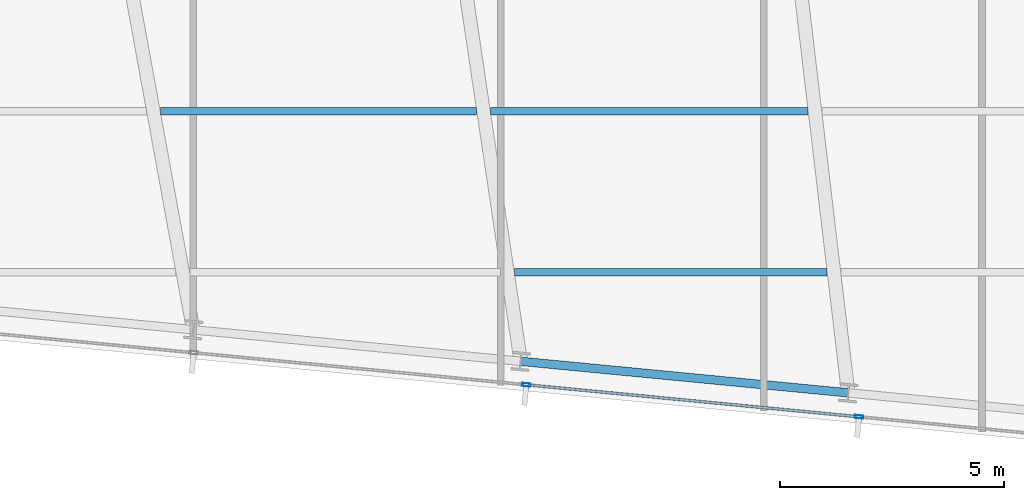
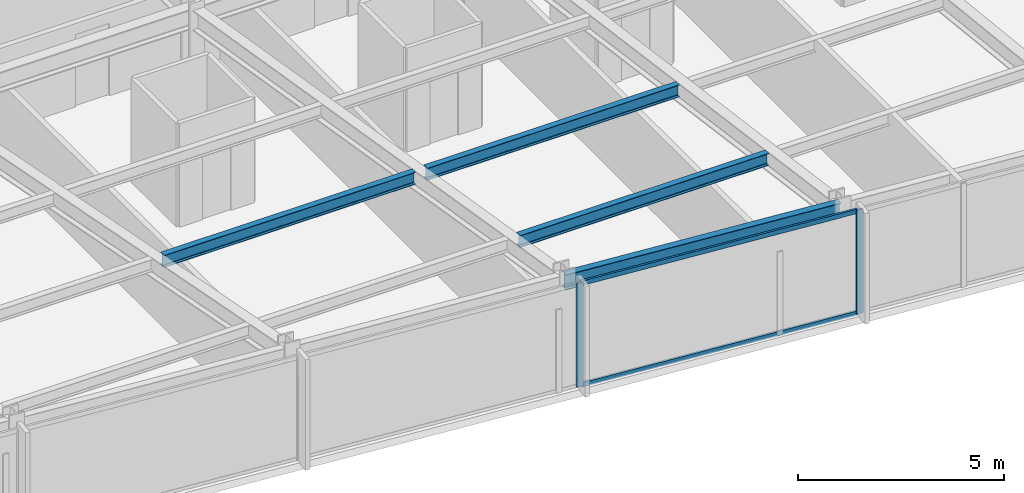
# One storey, part 12 of 37: 4 beams, 4 members, 1 element without a shape of its own.
"""IFC4 building model written with IfcOpenShell, lengths in metres."""

from ifc_helpers import new_model, si_unit, direction, frame, origin, origin_2d, place, context, subcontext, project, spatial, hollow_rectangle, i_section, extrude, material, material_profile, profile_set, type_object, element, aggregate, save


model = new_model("IFC4")

# Units and contexts
model_context = context("Model", 3, precision=1e-05, world=origin(), true_north=direction((0.0, 1.0)))
body_context = subcontext(model_context, "Body", "Model", "MODEL_VIEW")
ifc_project = project(units=[si_unit("LENGTHUNIT", "METRE"), si_unit("AREAUNIT", "SQUARE_METRE"), si_unit("VOLUMEUNIT", "CUBIC_METRE"), si_unit("PLANEANGLEUNIT", "RADIAN"), si_unit("MASSUNIT", "GRAM", prefix="KILO")], contexts=[model_context])

# Site, building, storey
site_placement = place(None, origin())
site = spatial("IfcSite", under=ifc_project, at=site_placement, CompositionType="ELEMENT")
building_placement = place(site_placement, origin())
building = spatial("IfcBuilding", under=site, at=building_placement, Name="Yelkora Congress Tower", CompositionType="ELEMENT")
storey_placement = place(building_placement, frame((0.0, 0.0, 175.39990234375)))
storey = spatial("IfcBuildingStorey", under=building, at=storey_placement, Name="L48", CompositionType="ELEMENT", Elevation=175.39990234375)

# Beams
ifc_material_1 = material(Name="Steel S355J2", Category="steel")
ifc_material_profile_1 = material_profile(ifc_material_1, i_section(OverallWidth=0.169921875, OverallDepth=0.360107421875, WebThickness=0.008056640625, FlangeThickness=0.0126953125, FilletRadius=0.01806640625, at=origin_2d()), Name="IPE 360")
ifc_profile_set_1 = profile_set([ifc_material_profile_1], Name="Steel S355J2")
beam_type_1 = type_object("IfcBeamType", Name="BM-JOIST-IPE360", PredefinedType="JOIST", material=ifc_profile_set_1)
beam_1_placement = place(storey_placement, frame((40.39990234375, 12.8212890625, 2.900146484375), z_axis=(1.0, 0.0, 0.0), x_axis=(0.0, 1.0, 0.0)))
element("IfcBeam", 1, at=beam_1_placement, inside=storey, type_object=beam_type_1, Name="L48 Composite Floor Joist 3", PredefinedType="JOIST", context=body_context, shape_type="SweptSolid", body=[
    extrude(i_section(OverallWidth=0.169921875, OverallDepth=0.360107421875, WebThickness=0.008056640625, FlangeThickness=0.0126953125, FilletRadius=0.01806640625, at=origin_2d()), origin(), (0.0, 0.0, 1.0), 6.98095703125),
])
beam_2_placement = place(storey_placement, frame((32.481201171875, 16.421142578125, 2.900146484375), z_axis=(1.0, 0.0, 0.0), x_axis=(0.0, 1.0, 0.0)))
element("IfcBeam", 2, at=beam_2_placement, inside=storey, type_object=beam_type_1, Name="L48 Composite Floor Joist 9", PredefinedType="JOIST", context=body_context, shape_type="SweptSolid", body=[
    extrude(i_section(OverallWidth=0.169921875, OverallDepth=0.360107421875, WebThickness=0.008056640625, FlangeThickness=0.0126953125, FilletRadius=0.01806640625, at=origin_2d()), origin(), (0.0, 0.0, 1.0), 7.063720703125),
])
beam_3_placement = place(storey_placement, frame((39.86474609375, 16.421142578125, 2.900146484375), z_axis=(1.0, 0.0, 0.0), x_axis=(0.0, 1.0, 0.0)))
element("IfcBeam", 3, at=beam_3_placement, inside=storey, type_object=beam_type_1, Name="L48 Composite Floor Joist 10", PredefinedType="JOIST", context=body_context, shape_type="SweptSolid", body=[
    extrude(i_section(OverallWidth=0.169921875, OverallDepth=0.360107421875, WebThickness=0.008056640625, FlangeThickness=0.0126953125, FilletRadius=0.01806640625, at=origin_2d()), origin(), (0.0, 0.0, 1.0), 7.09130859375),
])
ifc_material_profile_2 = material_profile(ifc_material_1, i_section(OverallWidth=0.18994140625, OverallDepth=0.449951171875, WebThickness=0.009521484375, FlangeThickness=0.0146484375, FilletRadius=0.02099609375, at=origin_2d()), Name="IPE 450")
ifc_profile_set_2 = profile_set([ifc_material_profile_2], Name="Steel S355J2")
beam_type_2 = type_object("IfcBeamType", Name="BM-SPAN-IPE450", PredefinedType="SPANDREL", material=ifc_profile_set_2)
beam_4_placement = place(storey_placement, frame((40.53564453125, 10.83154296875, 2.85498046875), z_axis=(0.995397104697, -0.095836339457, 0.0), x_axis=(0.095836339457, 0.995397104697, 0.0)))
element("IfcBeam", 4, at=beam_4_placement, inside=storey, type_object=beam_type_2, Name="L48 Perimeter Beam 7", PredefinedType="SPANDREL", context=body_context, shape_type="SweptSolid", body=[
    extrude(i_section(OverallWidth=0.18994140625, OverallDepth=0.449951171875, WebThickness=0.009521484375, FlangeThickness=0.0146484375, FilletRadius=0.02099609375, at=origin_2d()), origin(), (0.0, 0.0, 1.0), 7.357177734375),
])

# Curtain wall, members
ifc_material_2 = material(Name="Anodised aluminium and insulated glass", Category="aluminium")
curtain_wall_type = type_object("IfcCurtainWallType", Name="CW-SYS-B3", PredefinedType="NOTDEFINED", material=ifc_material_2)
curtain_wall_placement = place(storey_placement, origin())
curtain_wall = element("IfcCurtainWall", 5, at=curtain_wall_placement, inside=storey, type_object=curtain_wall_type, Name="L48 Unitised Curtain Wall 20", PredefinedType="NOTDEFINED")
ifc_material_3 = material(Name="Anodised aluminium 6063-T6", Category="aluminium")
ifc_material_profile_3 = material_profile(ifc_material_3, hollow_rectangle(XDim=0.070068359375, YDim=0.18994140625, WallThickness=0.00390625, at=origin_2d()), Name="ALU 70x190x4")
ifc_profile_set_3 = profile_set([ifc_material_profile_3], Name="Anodised aluminium 6063-T6")
member_type_1 = type_object("IfcMemberType", Name="MEM-ML-B3", PredefinedType="MULLION", material=ifc_profile_set_3)
member_1_placement = place(storey_placement, frame((48.1015625, 9.590576171875, 0.0), z_axis=(0.0, 0.0, 1.0), x_axis=(-0.095844680679, -0.995396301573, 0.0)))
member_1 = element("IfcMember", 6, at=member_1_placement, type_object=member_type_1, Name="CW-B3 mullion 2", PredefinedType="MULLION", context=body_context, shape_type="SweptSolid", body=[
    extrude(hollow_rectangle(XDim=0.070068359375, YDim=0.18994140625, WallThickness=0.00390625, at=origin_2d()), origin(), (0.0, 0.0, 1.0), 3.080078125),
])
member_2_placement = place(storey_placement, frame((40.66162109375, 10.30712890625, 0.0), z_axis=(0.0, 0.0, 1.0), x_axis=(-0.095844680679, -0.995396301573, 0.0)))
member_2 = element("IfcMember", 7, at=member_2_placement, type_object=member_type_1, Name="CW-B3 mullion 3", PredefinedType="MULLION", context=body_context, shape_type="SweptSolid", body=[
    extrude(hollow_rectangle(XDim=0.070068359375, YDim=0.18994140625, WallThickness=0.00390625, at=origin_2d()), origin(), (0.0, 0.0, 1.0), 3.080078125),
])
ifc_material_profile_4 = material_profile(ifc_material_3, hollow_rectangle(XDim=0.06005859375, YDim=0.1298828125, WallThickness=0.00390625, at=origin_2d()), Name="ALU 60x130x4")
ifc_profile_set_4 = profile_set([ifc_material_profile_4], Name="Anodised aluminium 6063-T6")
member_type_2 = type_object("IfcMemberType", Name="MEM-TR-B3", PredefinedType="USERDEFINED", material=ifc_profile_set_4)
member_3_placement = place(storey_placement, frame((48.066650390625, 9.593994140625, 0.030029296875), z_axis=(-0.99539548672, 0.095853142967, 0.0), x_axis=(-0.095853142967, -0.99539548672, 0.0)))
member_3 = element("IfcMember", 8, at=member_3_placement, type_object=member_type_2, Name="CW-B3 transom 2.1", ObjectType="TRANSOM", PredefinedType="USERDEFINED", context=body_context, shape_type="SweptSolid", body=[
    extrude(hollow_rectangle(XDim=0.06005859375, YDim=0.1298828125, WallThickness=0.00390625, at=origin_2d()), origin(), (0.0, 0.0, 1.0), 7.404296875),
])
member_4_placement = place(storey_placement, frame((48.066650390625, 9.593994140625, 3.050048828125), z_axis=(-0.99539548672, 0.095853142967, 0.0), x_axis=(-0.095853142967, -0.99539548672, 0.0)))
member_4 = element("IfcMember", 9, at=member_4_placement, type_object=member_type_2, Name="CW-B3 transom 2.2", ObjectType="TRANSOM", PredefinedType="USERDEFINED", context=body_context, shape_type="SweptSolid", body=[
    extrude(hollow_rectangle(XDim=0.06005859375, YDim=0.1298828125, WallThickness=0.00390625, at=origin_2d()), origin(), (0.0, 0.0, 1.0), 7.404296875),
])
aggregate(curtain_wall, [member_1, member_2, member_3, member_4])

save(model, "model.ifc")
